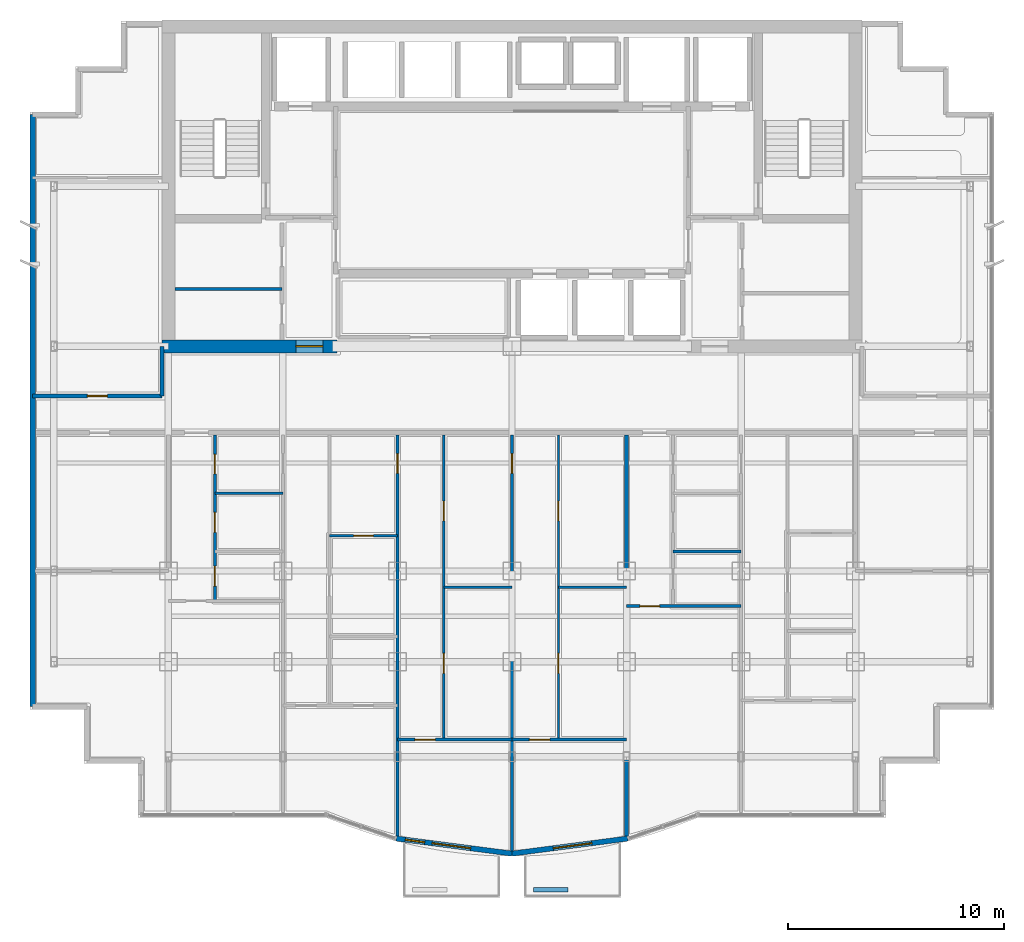
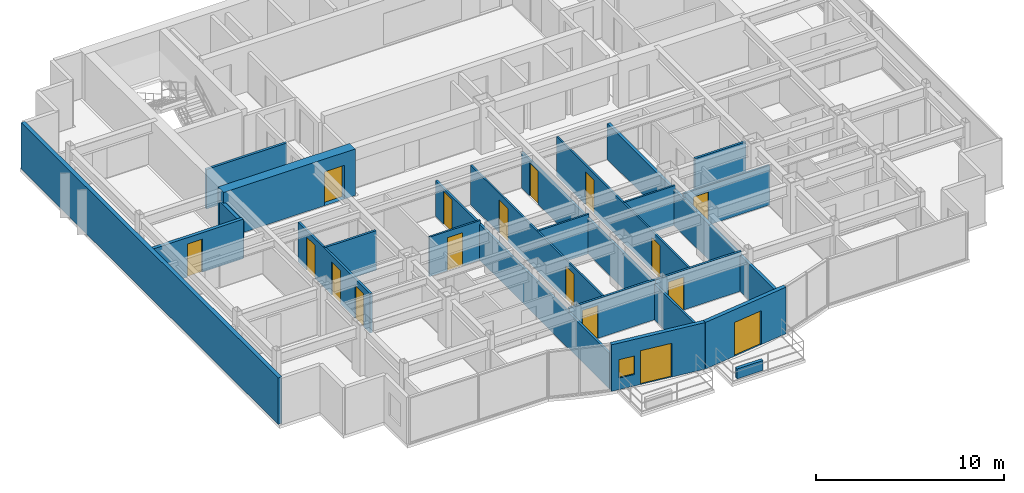
# One storey, part 8 of 13: 22 walls, 17 doors, 1 window, 18 openings.
"""IFC4 building model written with IfcOpenShell, lengths in metres."""

from ifc_helpers import new_model, si_unit, direction, frame, frame_2d, origin, place, context, subcontext, project, spatial, rectangle, extrude, material, layer, layer_set, type_object, element, fill, save


model = new_model("IFC4")

# Units and contexts
model_context = context("Model", 3, precision=1e-05, world=origin(), true_north=direction((0.0, 1.0)))
body_context = subcontext(model_context, "Body", "Model", "MODEL_VIEW")
ifc_project = project(units=[si_unit("LENGTHUNIT", "METRE"), si_unit("AREAUNIT", "SQUARE_METRE"), si_unit("VOLUMEUNIT", "CUBIC_METRE"), si_unit("PLANEANGLEUNIT", "RADIAN"), si_unit("MASSUNIT", "GRAM", prefix="KILO")], contexts=[model_context])

# Site, building, storey
site_placement = place(None, origin())
site = spatial("IfcSite", under=ifc_project, at=site_placement, CompositionType="ELEMENT")
building_placement = place(site_placement, origin())
building = spatial("IfcBuilding", under=site, at=building_placement, Name="Qianlan Lanfeng Residences", CompositionType="ELEMENT")
storey_placement = place(building_placement, frame((0.0, 0.0, 182.10009765625)))
storey = spatial("IfcBuildingStorey", under=building, at=storey_placement, Name="L50", CompositionType="ELEMENT", Elevation=182.10009765625)

# Wall, opening, door
ifc_material_1 = material(Name="Concrete C56", Category="concrete")
ifc_layer_1 = layer(ifc_material_1, 0.60009765625)
ifc_layer_set_1 = layer_set([ifc_layer_1], Name="Concrete C56")
wall_type_1 = type_object("IfcWallType", Name="CW-RC-600", PredefinedType="SHEAR", material=ifc_layer_set_1)
wall_1_placement = place(storey_placement, frame((10.300048828125, 25.199951171875, 0.0), z_axis=(0.0, 0.0, 1.0), x_axis=(1.0, 0.0, 0.0)))
wall_1 = element("IfcWall", 1, at=wall_1_placement, inside=storey, type_object=wall_type_1, Name="L50 Core Shear Wall SW", PredefinedType="SHEAR", context=body_context, shape_type="SweptSolid", body=[
    extrude(rectangle(XDim=8.099853515625, YDim=0.60009765625, at=frame_2d((4.0498046875, 0.0))), origin(), (0.0, 0.0, 1.0), 3.02978515625),
])
opening_1_placement = place(wall_1_placement, frame((6.199951171875, 0.0, 0.0)))
opening_1 = element("IfcOpeningElement", 2, at=opening_1_placement, cuts=wall_1, Name="Opening L50-D01", PredefinedType="OPENING", context=body_context, shape_type="SweptSolid", body=[
    extrude(rectangle(XDim=1.25, YDim=2.199951171875, at=frame_2d((0.625, 1.10009765625))), frame((0.0, 0.31005859375, 0.0), z_axis=(0.0, -1.0, 0.0), x_axis=(1.0, 0.0, 0.0)), (0.0, 0.0, 1.0), 0.6201171875),
])
ifc_material_2 = material(Name="Painted Galvanised Steel Fire Door", Category="steel")
door_type_1 = type_object("IfcDoorType", Name="DT-FFL", OperationType="NOTDEFINED", PredefinedType="DOOR", material=ifc_material_2)
door_1_placement = place(opening_1_placement, origin())
door_1 = element("IfcDoor", 3, at=door_1_placement, inside=storey, type_object=door_type_1, Name="L50 West Core Lobby Smoke Door L50-D01 (DT-FFL)", OperationType="SINGLE_SWING_RIGHT", OverallHeight=2.199951171875, OverallWidth=1.25, PredefinedType="DOOR", context=body_context, shape_type="SweptSolid", body=[
    extrude(rectangle(XDim=1.25, YDim=2.199951171875, at=frame_2d((0.625, 1.10009765625))), frame((0.0, 0.02490234375, 0.0), z_axis=(0.0, -1.0, 0.0), x_axis=(1.0, 0.0, 0.0)), (0.0, 0.0, 1.0), 0.050048828125),
])
fill(opening_1, door_1)

# Wall, openings, door, window
ifc_material_3 = material(Name="Concrete C42", Category="concrete")
ifc_layer_2 = layer(ifc_material_3, 0.239990234375)
ifc_layer_set_2 = layer_set([ifc_layer_2], Name="Concrete C42")
wall_type_2 = type_object("IfcWallType", Name="EW-240", PredefinedType="SOLIDWALL", material=ifc_layer_set_2)
wall_2_placement = place(storey_placement, frame((21.14208984375, 2.4189453125, 0.0), z_axis=(0.0, 0.0, 1.0), x_axis=(0.991597639478, -0.129360432053, 0.0)))
wall_2 = element("IfcWall", 4, at=wall_2_placement, inside=storey, type_object=wall_type_2, Name="L50 Terrace/Balcony Access Exterior Wall 5", PredefinedType="SOLIDWALL", context=body_context, shape_type="SweptSolid", body=[
    extrude(rectangle(XDim=5.4033203125, YDim=0.239990234375, at=frame_2d((2.70166015625, 0.0))), origin(), (0.0, 0.0, 1.0), 3.02978515625),
])
opening_2_placement = place(wall_2_placement, frame((1.672119140625, 0.0, 0.0)))
opening_2 = element("IfcOpeningElement", 5, at=opening_2_placement, cuts=wall_2, Name="Opening L50-D-SB-W", PredefinedType="OPENING", context=body_context, shape_type="SweptSolid", body=[
    extrude(rectangle(XDim=1.800048828125, YDim=2.199951171875, at=frame_2d((0.89990234375, 1.10009765625))), frame((0.0, 0.1298828125, 0.0), z_axis=(0.0, -1.0, 0.0), x_axis=(1.0, 0.0, 0.0)), (0.0, 0.0, 1.0), 0.260009765625),
])
opening_3_placement = place(wall_2_placement, frame((0.426025390625, 0.0, 0.75)))
opening_3 = element("IfcOpeningElement", 6, at=opening_3_placement, cuts=wall_2, Name="Opening W-04", PredefinedType="OPENING", context=body_context, shape_type="SweptSolid", body=[
    extrude(rectangle(XDim=0.89990234375, YDim=1.199951171875, at=frame_2d((0.449951171875, 0.60009765625))), frame((0.0, 0.1298828125, 0.0), z_axis=(0.0, -1.0, 0.0), x_axis=(1.0, 0.0, 0.0)), (0.0, 0.0, 1.0), 0.260009765625),
])
ifc_material_4 = material(Name="Anodised Bronze Aluminium Framed Glass", Category="aluminium")
door_type_2 = type_object("IfcDoorType", Name="DT-BAL1", OperationType="NOTDEFINED", PredefinedType="DOOR", material=ifc_material_4)
door_2_placement = place(opening_2_placement, frame((1.800048828125, 0.0, 0.0), z_axis=(0.0, 0.0, 1.0), x_axis=(-1.0, 0.0, 0.0)))
door_2 = element("IfcDoor", 7, at=door_2_placement, inside=storey, type_object=door_type_2, Name="L50 Exterior Access Door SB-W", OperationType="DOUBLE_DOOR_SLIDING", OverallHeight=2.199951171875, OverallWidth=1.800048828125, PredefinedType="DOOR", context=body_context, shape_type="SweptSolid", body=[
    extrude(rectangle(XDim=1.800048828125, YDim=2.199951171875, at=frame_2d((0.89990234375, 1.10009765625))), frame((0.0, 0.02490234375, 0.0), z_axis=(0.0, -1.0, 0.0), x_axis=(1.0, 0.0, 0.0)), (0.0, 0.0, 1.0), 0.050048828125),
])
fill(opening_2, door_2)
ifc_material_5 = material(Name="Anodised Bronze Aluminium Framed Double Glazing", Category="aluminium")
window_type = type_object("IfcWindowType", Name="W-04", PartitioningType="SINGLE_PANEL", PredefinedType="WINDOW", material=ifc_material_5)
window_placement = place(opening_3_placement, origin())
window = element("IfcWindow", 8, at=window_placement, inside=storey, type_object=window_type, Name="L50 Exterior Window W-03", OverallHeight=1.199951171875, OverallWidth=0.89990234375, PartitioningType="SINGLE_PANEL", PredefinedType="WINDOW", context=body_context, shape_type="SweptSolid", body=[
    extrude(rectangle(XDim=0.89990234375, YDim=1.199951171875, at=frame_2d((0.449951171875, 0.60009765625))), frame((0.0, 0.030029296875, 0.0), z_axis=(0.0, -1.0, 0.0), x_axis=(1.0, 0.0, 0.0)), (0.0, 0.0, 1.0), 0.06005859375),
])
fill(opening_3, window)

# Wall, opening, door
wall_3_placement = place(storey_placement, frame((26.5, 1.719970703125, 0.0), z_axis=(0.0, 0.0, 1.0), x_axis=(0.991594614239, 0.129383619568, 0.0)))
wall_3 = element("IfcWall", 9, at=wall_3_placement, inside=storey, type_object=wall_type_2, Name="L50 Terrace/Balcony Access Exterior Wall 6", PredefinedType="SOLIDWALL", context=body_context, shape_type="SweptSolid", body=[
    extrude(rectangle(XDim=5.40234375, YDim=0.239990234375, at=frame_2d((2.701171875, 0.0))), origin(), (0.0, 0.0, 1.0), 3.02978515625),
])
opening_4_placement = place(wall_3_placement, frame((1.930908203125, 0.0, 0.0)))
opening_4 = element("IfcOpeningElement", 10, at=opening_4_placement, cuts=wall_3, Name="Opening L50-D-SB-E", PredefinedType="OPENING", context=body_context, shape_type="SweptSolid", body=[
    extrude(rectangle(XDim=1.800048828125, YDim=2.199951171875, at=frame_2d((0.89990234375, 1.10009765625))), frame((0.0, 0.1298828125, 0.0), z_axis=(0.0, -1.0, 0.0), x_axis=(1.0, 0.0, 0.0)), (0.0, 0.0, 1.0), 0.260009765625),
])
door_3_placement = place(opening_4_placement, frame((1.800048828125, 0.0, 0.0), z_axis=(0.0, 0.0, 1.0), x_axis=(-1.0, 0.0, 0.0)))
door_3 = element("IfcDoor", 11, at=door_3_placement, inside=storey, type_object=door_type_2, Name="L50 Exterior Access Door SB-E", OperationType="DOUBLE_DOOR_SLIDING", OverallHeight=2.199951171875, OverallWidth=1.800048828125, PredefinedType="DOOR", context=body_context, shape_type="SweptSolid", body=[
    extrude(rectangle(XDim=1.800048828125, YDim=2.199951171875, at=frame_2d((0.89990234375, 1.10009765625))), frame((0.0, 0.02490234375, 0.0), z_axis=(0.0, -1.0, 0.0), x_axis=(1.0, 0.0, 0.0)), (0.0, 0.0, 1.0), 0.050048828125),
])
fill(opening_4, door_3)

# Walls
wall_4_placement = place(storey_placement, frame((4.320068359375, 35.929931640625, 0.0), z_axis=(0.0, 0.0, 1.0), x_axis=(0.0, -1.0, 0.0)))
element("IfcWall", 12, at=wall_4_placement, inside=storey, type_object=wall_type_2, Name="L50 Exterior Facade Spandrel Wall 21", PredefinedType="SOLIDWALL", context=body_context, shape_type="SweptSolid", body=[
    extrude(rectangle(XDim=27.409912109375, YDim=0.239990234375, at=frame_2d((13.705078125, 0.0))), origin(), (0.0, 0.0, 1.0), 3.02978515625),
])
ifc_layer_3 = layer(ifc_material_3, 0.199951171875)
ifc_layer_set_3 = layer_set([ifc_layer_3], Name="Concrete C42")
wall_type_3 = type_object("IfcWallType", Name="PL-TREE-200", PredefinedType="PARAPET", material=ifc_layer_set_3)
wall_5_placement = place(storey_placement, frame((27.5, 0.050048828125, 0.0), z_axis=(0.0, 0.0, 1.0), x_axis=(1.0, 0.0, 0.0)))
element("IfcWall", 13, at=wall_5_placement, inside=storey, type_object=wall_type_3, Name="L50 Balcony Tree Planter Curb SB-E", PredefinedType="PARAPET", context=body_context, shape_type="SweptSolid", body=[
    extrude(rectangle(XDim=1.60009765625, YDim=0.199951171875, at=frame_2d((0.800048828125, 0.0))), origin(), (0.0, 0.0, 1.0), 0.64990234375),
])

# Wall, opening, door
ifc_material_6 = material(Name="Demountable Acoustic Framing Partition 110 mm")
ifc_layer_4 = layer(ifc_material_6, 0.110107421875)
ifc_layer_set_4 = layer_set([ifc_layer_4], Name="Demountable Acoustic Framing Partition 110 mm")
wall_type_4 = type_object("IfcWallType", Name="PW-110", PredefinedType="MOVABLE", material=ifc_layer_set_4)
wall_6_placement = place(storey_placement, frame((18.050048828125, 16.43701171875, 0.0), z_axis=(0.0, 0.0, 1.0), x_axis=(1.0, 0.0, 0.0)))
wall_6 = element("IfcWall", 14, at=wall_6_placement, inside=storey, type_object=wall_type_4, Name="L50 U01 Wardrobe Split", PredefinedType="MOVABLE", context=body_context, shape_type="SweptSolid", body=[
    extrude(rectangle(XDim=3.14990234375, YDim=0.110107421875, at=frame_2d((1.574951171875, 0.0))), origin(), (0.0, 0.0, 1.0), 2.56982421875),
])
opening_5_placement = place(wall_6_placement, frame((1.114990234375, 0.0, 0.0)))
opening_5 = element("IfcOpeningElement", 15, at=opening_5_placement, cuts=wall_6, Name="Opening L50-D27", PredefinedType="OPENING", context=body_context, shape_type="SweptSolid", body=[
    extrude(rectangle(XDim=0.919921875, YDim=2.14990234375, at=frame_2d((0.4599609375, 1.074951171875))), frame((0.0, 0.06494140625, 0.0), z_axis=(0.0, -1.0, 0.0), x_axis=(1.0, 0.0, 0.0)), (0.0, 0.0, 1.0), 0.130126953125),
])
ifc_material_7 = material(Name="Glazed Timber Kitchen/Study Door", Category="wood")
door_type_3 = type_object("IfcDoorType", Name="DT-INT", OperationType="NOTDEFINED", PredefinedType="DOOR", material=ifc_material_7)
door_4_placement = place(opening_5_placement, origin())
door_4 = element("IfcDoor", 16, at=door_4_placement, inside=storey, type_object=door_type_3, Name="L50 U01 Dressing Inner Door L50-D27 (DT-INT)", OperationType="SINGLE_SWING_RIGHT", OverallHeight=2.14990234375, OverallWidth=0.919921875, PredefinedType="DOOR", context=body_context, shape_type="SweptSolid", body=[
    extrude(rectangle(XDim=0.919921875, YDim=2.14990234375, at=frame_2d((0.4599609375, 1.074951171875))), frame((0.0, 0.02490234375, 0.0), z_axis=(0.0, -1.0, 0.0), x_axis=(1.0, 0.0, 0.0)), (0.0, 0.0, 1.0), 0.050048828125),
])
fill(opening_5, door_4)

# Wall, openings, doors
wall_7_placement = place(storey_placement, frame((23.35009765625, 6.9990234375, 0.0), z_axis=(0.0, 0.0, 1.0), x_axis=(0.0, 1.0, 0.0)))
wall_7 = element("IfcWall", 17, at=wall_7_placement, inside=storey, type_object=wall_type_4, Name="L50 U01 Bedroom 2 Hall Wall", PredefinedType="MOVABLE", context=body_context, shape_type="SweptSolid", body=[
    extrude(rectangle(XDim=14.10107421875, YDim=0.110107421875, at=frame_2d((7.050537109375, 0.0))), origin(), (0.0, 0.0, 1.0), 2.56982421875),
])
opening_6_placement = place(wall_7_placement, frame((3.06591796875, 0.0, 0.0)))
opening_6 = element("IfcOpeningElement", 18, at=opening_6_placement, cuts=wall_7, Name="Opening L50-D29", PredefinedType="OPENING", context=body_context, shape_type="SweptSolid", body=[
    extrude(rectangle(XDim=0.919921875, YDim=2.14990234375, at=frame_2d((0.4599609375, 1.074951171875))), frame((0.0, 0.06494140625, 0.0), z_axis=(0.0, -1.0, 0.0), x_axis=(1.0, 0.0, 0.0)), (0.0, 0.0, 1.0), 0.130126953125),
])
opening_7_placement = place(wall_7_placement, frame((10.115966796875, 0.0, 0.0)))
opening_7 = element("IfcOpeningElement", 19, at=opening_7_placement, cuts=wall_7, Name="Opening L50-D30", PredefinedType="OPENING", context=body_context, shape_type="SweptSolid", body=[
    extrude(rectangle(XDim=0.919921875, YDim=2.14990234375, at=frame_2d((0.4599609375, 1.074951171875))), frame((0.0, 0.06494140625, 0.0), z_axis=(0.0, -1.0, 0.0), x_axis=(1.0, 0.0, 0.0)), (0.0, 0.0, 1.0), 0.130126953125),
])
door_5_placement = place(opening_6_placement, origin())
door_5 = element("IfcDoor", 20, at=door_5_placement, inside=storey, type_object=door_type_3, Name="L50 U01 Utility Door L50-D29 (DT-INT)", OperationType="SINGLE_SWING_RIGHT", OverallHeight=2.14990234375, OverallWidth=0.919921875, PredefinedType="DOOR", context=body_context, shape_type="SweptSolid", body=[
    extrude(rectangle(XDim=0.919921875, YDim=2.14990234375, at=frame_2d((0.4599609375, 1.074951171875))), frame((0.0, 0.02490234375, 0.0), z_axis=(0.0, -1.0, 0.0), x_axis=(1.0, 0.0, 0.0)), (0.0, 0.0, 1.0), 0.050048828125),
])
fill(opening_6, door_5)
door_6_placement = place(opening_7_placement, origin())
door_6 = element("IfcDoor", 21, at=door_6_placement, inside=storey, type_object=door_type_3, Name="L50 U01 Specialty Door L50-D30 (DT-INT)", OperationType="SINGLE_SWING_LEFT", OverallHeight=2.14990234375, OverallWidth=0.919921875, PredefinedType="DOOR", context=body_context, shape_type="SweptSolid", body=[
    extrude(rectangle(XDim=0.919921875, YDim=2.14990234375, at=frame_2d((0.4599609375, 1.074951171875))), frame((0.0, 0.02490234375, 0.0), z_axis=(0.0, -1.0, 0.0), x_axis=(1.0, 0.0, 0.0)), (0.0, 0.0, 1.0), 0.050048828125),
])
fill(opening_7, door_6)

# Wall
wall_8_placement = place(storey_placement, frame((23.35009765625, 14.050048828125, 0.0), z_axis=(0.0, 0.0, 1.0), x_axis=(1.0, 0.0, 0.0)))
element("IfcWall", 22, at=wall_8_placement, inside=storey, type_object=wall_type_4, Name="L50 U01 Specialty Split Wall", PredefinedType="MOVABLE", context=body_context, shape_type="SweptSolid", body=[
    extrude(rectangle(XDim=3.14990234375, YDim=0.110107421875, at=frame_2d((1.574951171875, 0.0))), origin(), (0.0, 0.0, 1.0), 2.56982421875),
])

# Wall, openings, doors
wall_9_placement = place(storey_placement, frame((28.64990234375, 6.9990234375, 0.0), z_axis=(0.0, 0.0, 1.0), x_axis=(0.0, 1.0, 0.0)))
wall_9 = element("IfcWall", 23, at=wall_9_placement, inside=storey, type_object=wall_type_4, Name="L50 U01 Bedroom 3 Hall Wall", PredefinedType="MOVABLE", context=body_context, shape_type="SweptSolid", body=[
    extrude(rectangle(XDim=14.10107421875, YDim=0.110107421875, at=frame_2d((7.050537109375, 0.0))), origin(), (0.0, 0.0, 1.0), 2.56982421875),
])
opening_8_placement = place(wall_9_placement, frame((3.06591796875, 0.0, 0.0)))
opening_8 = element("IfcOpeningElement", 24, at=opening_8_placement, cuts=wall_9, Name="Opening L50-D32", PredefinedType="OPENING", context=body_context, shape_type="SweptSolid", body=[
    extrude(rectangle(XDim=0.919921875, YDim=2.14990234375, at=frame_2d((0.4599609375, 1.074951171875))), frame((0.0, 0.06494140625, 0.0), z_axis=(0.0, -1.0, 0.0), x_axis=(1.0, 0.0, 0.0)), (0.0, 0.0, 1.0), 0.130126953125),
])
opening_9_placement = place(wall_9_placement, frame((10.115966796875, 0.0, 0.0)))
opening_9 = element("IfcOpeningElement", 25, at=opening_9_placement, cuts=wall_9, Name="Opening L50-D33", PredefinedType="OPENING", context=body_context, shape_type="SweptSolid", body=[
    extrude(rectangle(XDim=0.919921875, YDim=2.14990234375, at=frame_2d((0.4599609375, 1.074951171875))), frame((0.0, 0.06494140625, 0.0), z_axis=(0.0, -1.0, 0.0), x_axis=(1.0, 0.0, 0.0)), (0.0, 0.0, 1.0), 0.130126953125),
])
door_7_placement = place(opening_8_placement, origin())
door_7 = element("IfcDoor", 26, at=door_7_placement, inside=storey, type_object=door_type_3, Name="L50 U01 Utility Door L50-D32 (DT-INT)", OperationType="SINGLE_SWING_LEFT", OverallHeight=2.14990234375, OverallWidth=0.919921875, PredefinedType="DOOR", context=body_context, shape_type="SweptSolid", body=[
    extrude(rectangle(XDim=0.919921875, YDim=2.14990234375, at=frame_2d((0.4599609375, 1.074951171875))), frame((0.0, 0.02490234375, 0.0), z_axis=(0.0, -1.0, 0.0), x_axis=(1.0, 0.0, 0.0)), (0.0, 0.0, 1.0), 0.050048828125),
])
fill(opening_8, door_7)
door_8_placement = place(opening_9_placement, origin())
door_8 = element("IfcDoor", 27, at=door_8_placement, inside=storey, type_object=door_type_3, Name="L50 U01 Specialty Door L50-D33 (DT-INT)", OperationType="SINGLE_SWING_RIGHT", OverallHeight=2.14990234375, OverallWidth=0.919921875, PredefinedType="DOOR", context=body_context, shape_type="SweptSolid", body=[
    extrude(rectangle(XDim=0.919921875, YDim=2.14990234375, at=frame_2d((0.4599609375, 1.074951171875))), frame((0.0, 0.02490234375, 0.0), z_axis=(0.0, -1.0, 0.0), x_axis=(1.0, 0.0, 0.0)), (0.0, 0.0, 1.0), 0.050048828125),
])
fill(opening_9, door_8)

# Wall
wall_10_placement = place(storey_placement, frame((28.64990234375, 14.050048828125, 0.0), z_axis=(0.0, 0.0, 1.0), x_axis=(1.0, 0.0, 0.0)))
element("IfcWall", 28, at=wall_10_placement, inside=storey, type_object=wall_type_4, Name="L50 U01 Specialty Split Wall", PredefinedType="MOVABLE", context=body_context, shape_type="SweptSolid", body=[
    extrude(rectangle(XDim=3.150146484375, YDim=0.110107421875, at=frame_2d((1.5751953125, 0.0))), origin(), (0.0, 0.0, 1.0), 2.56982421875),
])

# Wall, opening, door
ifc_material_8 = material(Name="Moisture-Resistant Gypsum Partition 135 mm")
ifc_layer_5 = layer(ifc_material_8, 0.135009765625)
ifc_layer_set_5 = layer_set([ifc_layer_5], Name="Moisture-Resistant Gypsum Partition 135 mm")
wall_type_5 = type_object("IfcWallType", Name="PW-135", PredefinedType="PARTITIONING", material=ifc_layer_set_5)
wall_11_placement = place(storey_placement, frame((21.199951171875, 2.508056640625, 0.0), z_axis=(0.0, 0.0, 1.0), x_axis=(0.0, 1.0, 0.0)))
wall_11 = element("IfcWall", 29, at=wall_11_placement, inside=storey, type_object=wall_type_5, Name="L50 U01 Bay Spine Wall 2", PredefinedType="PARTITIONING", context=body_context, shape_type="SweptSolid", body=[
    extrude(rectangle(XDim=18.592041015625, YDim=0.135009765625, at=frame_2d((9.2958984375, 0.0))), origin(), (0.0, 0.0, 1.0), 2.324951171875),
])
opening_10_placement = place(wall_11_placement, frame((16.806884765625, 0.0, 0.0)))
opening_10 = element("IfcOpeningElement", 30, at=opening_10_placement, cuts=wall_11, Name="Opening L50-D18", PredefinedType="OPENING", context=body_context, shape_type="SweptSolid", body=[
    extrude(rectangle(XDim=0.919921875, YDim=2.14990234375, at=frame_2d((0.4599609375, 1.074951171875))), frame((0.0, 0.07763671875, 0.0), z_axis=(0.0, -1.0, 0.0), x_axis=(1.0, 0.0, 0.0)), (0.0, 0.0, 1.0), 0.155029296875),
])
door_9_placement = place(opening_10_placement, origin())
door_9 = element("IfcDoor", 31, at=door_9_placement, inside=storey, type_object=door_type_3, Name="L50 U01 Internal Hall Door L50-D18 (DT-INT)", OperationType="SINGLE_SWING_LEFT", OverallHeight=2.14990234375, OverallWidth=0.919921875, PredefinedType="DOOR", context=body_context, shape_type="SweptSolid", body=[
    extrude(rectangle(XDim=0.919921875, YDim=2.14990234375, at=frame_2d((0.4599609375, 1.074951171875))), frame((0.0, 0.02490234375, 0.0), z_axis=(0.0, -1.0, 0.0), x_axis=(1.0, 0.0, 0.0)), (0.0, 0.0, 1.0), 0.050048828125),
])
fill(opening_10, door_9)

wall_12_placement = place(storey_placement, frame((26.5, 1.820068359375, 0.0), z_axis=(0.0, 0.0, 1.0), x_axis=(0.0, 1.0, 0.0)))
wall_12 = element("IfcWall", 32, at=wall_12_placement, inside=storey, type_object=wall_type_5, Name="L50 U01 Bay Spine Wall 3", PredefinedType="PARTITIONING", context=body_context, shape_type="SweptSolid", body=[
    extrude(rectangle(XDim=19.280029296875, YDim=0.135009765625, at=frame_2d((9.64013671875, 0.0))), origin(), (0.0, 0.0, 1.0), 2.324951171875),
])
opening_11_placement = place(wall_12_placement, frame((17.4951171875, 0.0, 0.0)))
opening_11 = element("IfcOpeningElement", 33, at=opening_11_placement, cuts=wall_12, Name="Opening L50-D19", PredefinedType="OPENING", context=body_context, shape_type="SweptSolid", body=[
    extrude(rectangle(XDim=0.919921875, YDim=2.14990234375, at=frame_2d((0.4599609375, 1.074951171875))), frame((0.0, 0.07763671875, 0.0), z_axis=(0.0, -1.0, 0.0), x_axis=(1.0, 0.0, 0.0)), (0.0, 0.0, 1.0), 0.155029296875),
])
door_10_placement = place(opening_11_placement, origin())
door_10 = element("IfcDoor", 34, at=door_10_placement, inside=storey, type_object=door_type_3, Name="L50 U01 Internal Hall Door L50-D19 (DT-INT)", OperationType="SINGLE_SWING_RIGHT", OverallHeight=2.14990234375, OverallWidth=0.919921875, PredefinedType="DOOR", context=body_context, shape_type="SweptSolid", body=[
    extrude(rectangle(XDim=0.919921875, YDim=2.14990234375, at=frame_2d((0.4599609375, 1.074951171875))), frame((0.0, 0.02490234375, 0.0), z_axis=(0.0, -1.0, 0.0), x_axis=(1.0, 0.0, 0.0)), (0.0, 0.0, 1.0), 0.050048828125),
])
fill(opening_11, door_10)

# Wall, openings, doors
wall_13_placement = place(storey_placement, frame((12.75, 13.419921875, 0.0), z_axis=(0.0, 0.0, 1.0), x_axis=(0.0, 1.0, 0.0)))
wall_13 = element("IfcWall", 35, at=wall_13_placement, inside=storey, type_object=wall_type_5, Name="L50 U01 Entry Hall Spine", PredefinedType="PARTITIONING", context=body_context, shape_type="SweptSolid", body=[
    extrude(rectangle(XDim=7.68017578125, YDim=0.135009765625, at=frame_2d((3.840087890625, 0.0))), origin(), (0.0, 0.0, 1.0), 2.56982421875),
])
opening_12_placement = place(wall_13_placement, frame((0.679931640625, 0.0, 0.0)))
opening_12 = element("IfcOpeningElement", 36, at=opening_12_placement, cuts=wall_13, Name="Opening L50-D21", PredefinedType="OPENING", context=body_context, shape_type="SweptSolid", body=[
    extrude(rectangle(XDim=0.919921875, YDim=2.14990234375, at=frame_2d((0.4599609375, 1.074951171875))), frame((0.0, 0.07763671875, 0.0), z_axis=(0.0, -1.0, 0.0), x_axis=(1.0, 0.0, 0.0)), (0.0, 0.0, 1.0), 0.155029296875),
])
opening_13_placement = place(wall_13_placement, frame((3.169921875, 0.0, 0.0)))
opening_13 = element("IfcOpeningElement", 37, at=opening_13_placement, cuts=wall_13, Name="Opening L50-D22", PredefinedType="OPENING", context=body_context, shape_type="SweptSolid", body=[
    extrude(rectangle(XDim=0.919921875, YDim=2.14990234375, at=frame_2d((0.4599609375, 1.074951171875))), frame((0.0, 0.07763671875, 0.0), z_axis=(0.0, -1.0, 0.0), x_axis=(1.0, 0.0, 0.0)), (0.0, 0.0, 1.0), 0.155029296875),
])
opening_14_placement = place(wall_13_placement, frame((5.8798828125, 0.0, 0.0)))
opening_14 = element("IfcOpeningElement", 38, at=opening_14_placement, cuts=wall_13, Name="Opening L50-D23", PredefinedType="OPENING", context=body_context, shape_type="SweptSolid", body=[
    extrude(rectangle(XDim=0.89990234375, YDim=2.14990234375, at=frame_2d((0.449951171875, 1.074951171875))), frame((0.0, 0.07763671875, 0.0), z_axis=(0.0, -1.0, 0.0), x_axis=(1.0, 0.0, 0.0)), (0.0, 0.0, 1.0), 0.155029296875),
])
door_11_placement = place(opening_12_placement, origin())
door_11 = element("IfcDoor", 39, at=door_11_placement, inside=storey, type_object=door_type_3, Name="L50 U01 Study Door L50-D21 (DT-INT)", OperationType="SINGLE_SWING_RIGHT", OverallHeight=2.14990234375, OverallWidth=0.919921875, PredefinedType="DOOR", context=body_context, shape_type="SweptSolid", body=[
    extrude(rectangle(XDim=0.919921875, YDim=2.14990234375, at=frame_2d((0.4599609375, 1.074951171875))), frame((0.0, 0.02490234375, 0.0), z_axis=(0.0, -1.0, 0.0), x_axis=(1.0, 0.0, 0.0)), (0.0, 0.0, 1.0), 0.050048828125),
])
fill(opening_12, door_11)
door_12_placement = place(opening_13_placement, origin())
door_12 = element("IfcDoor", 40, at=door_12_placement, inside=storey, type_object=door_type_3, Name="L50 U01 Kitchen Door L50-D22 (DT-INT)", OperationType="SINGLE_SWING_LEFT", OverallHeight=2.14990234375, OverallWidth=0.919921875, PredefinedType="DOOR", context=body_context, shape_type="SweptSolid", body=[
    extrude(rectangle(XDim=0.919921875, YDim=2.14990234375, at=frame_2d((0.4599609375, 1.074951171875))), frame((0.0, 0.02490234375, 0.0), z_axis=(0.0, -1.0, 0.0), x_axis=(1.0, 0.0, 0.0)), (0.0, 0.0, 1.0), 0.050048828125),
])
fill(opening_13, door_12)
ifc_material_9 = material(Name="Moisture-Resistant Timber Leaf", Category="wood")
door_type_4 = type_object("IfcDoorType", Name="DT-WC", OperationType="NOTDEFINED", PredefinedType="DOOR", material=ifc_material_9)
door_13_placement = place(opening_14_placement, origin())
door_13 = element("IfcDoor", 41, at=door_13_placement, inside=storey, type_object=door_type_4, Name="L50 U01 Bathroom Door L50-D23 (DT-WC)", OperationType="SINGLE_SWING_RIGHT", OverallHeight=2.14990234375, OverallWidth=0.89990234375, PredefinedType="DOOR", context=body_context, shape_type="SweptSolid", body=[
    extrude(rectangle(XDim=0.89990234375, YDim=2.14990234375, at=frame_2d((0.449951171875, 1.074951171875))), frame((0.0, 0.02490234375, 0.0), z_axis=(0.0, -1.0, 0.0), x_axis=(1.0, 0.0, 0.0)), (0.0, 0.0, 1.0), 0.050048828125),
])
fill(opening_14, door_13)

# Wall
wall_14_placement = place(storey_placement, frame((12.75, 18.39990234375, 0.0), z_axis=(0.0, 0.0, 1.0), x_axis=(1.0, 0.0, 0.0)))
element("IfcWall", 42, at=wall_14_placement, inside=storey, type_object=wall_type_5, Name="L50 U01 Bathroom South Wall", PredefinedType="PARTITIONING", context=body_context, shape_type="SweptSolid", body=[
    extrude(rectangle(XDim=3.14990234375, YDim=0.135009765625, at=frame_2d((1.574951171875, 0.0))), origin(), (0.0, 0.0, 1.0), 2.56982421875),
])

# Wall, opening, door
wall_15_placement = place(storey_placement, frame((21.199951171875, 6.9990234375, 0.0), z_axis=(0.0, 0.0, 1.0), x_axis=(1.0, 0.0, 0.0)))
wall_15 = element("IfcWall", 43, at=wall_15_placement, inside=storey, type_object=wall_type_5, Name="L50 U01 Bedroom 2 North Wall", PredefinedType="PARTITIONING", context=body_context, shape_type="SweptSolid", body=[
    extrude(rectangle(XDim=5.300048828125, YDim=0.135009765625, at=frame_2d((2.64990234375, 0.0))), origin(), (0.0, 0.0, 1.0), 2.56982421875),
])
opening_15_placement = place(wall_15_placement, frame((0.800048828125, 0.0, 0.0)))
opening_15 = element("IfcOpeningElement", 44, at=opening_15_placement, cuts=wall_15, Name="Opening L50-D28", PredefinedType="OPENING", context=body_context, shape_type="SweptSolid", body=[
    extrude(rectangle(XDim=0.949951171875, YDim=2.14990234375, at=frame_2d((0.47509765625, 1.074951171875))), frame((0.0, 0.07763671875, 0.0), z_axis=(0.0, -1.0, 0.0), x_axis=(1.0, 0.0, 0.0)), (0.0, 0.0, 1.0), 0.155029296875),
])
ifc_material_10 = material(Name="Painted Solid-Core Timber Leaf", Category="wood")
door_type_5 = type_object("IfcDoorType", Name="DT-BED", OperationType="NOTDEFINED", PredefinedType="DOOR", material=ifc_material_10)
door_14_placement = place(opening_15_placement, origin())
door_14 = element("IfcDoor", 45, at=door_14_placement, inside=storey, type_object=door_type_5, Name="L50 U01 Bedroom 2 Door L50-D28 (DT-BED)", OperationType="SINGLE_SWING_LEFT", OverallHeight=2.14990234375, OverallWidth=0.949951171875, PredefinedType="DOOR", context=body_context, shape_type="SweptSolid", body=[
    extrude(rectangle(XDim=0.949951171875, YDim=2.14990234375, at=frame_2d((0.47509765625, 1.074951171875))), frame((0.0, 0.02490234375, 0.0), z_axis=(0.0, -1.0, 0.0), x_axis=(1.0, 0.0, 0.0)), (0.0, 0.0, 1.0), 0.050048828125),
])
fill(opening_15, door_14)

wall_16_placement = place(storey_placement, frame((26.5, 6.9990234375, 0.0), z_axis=(0.0, 0.0, 1.0), x_axis=(1.0, 0.0, 0.0)))
wall_16 = element("IfcWall", 46, at=wall_16_placement, inside=storey, type_object=wall_type_5, Name="L50 U01 Bedroom 3 North Wall", PredefinedType="PARTITIONING", context=body_context, shape_type="SweptSolid", body=[
    extrude(rectangle(XDim=5.300048828125, YDim=0.135009765625, at=frame_2d((2.64990234375, 0.0))), origin(), (0.0, 0.0, 1.0), 2.56982421875),
])
opening_16_placement = place(wall_16_placement, frame((0.800048828125, 0.0, 0.0)))
opening_16 = element("IfcOpeningElement", 47, at=opening_16_placement, cuts=wall_16, Name="Opening L50-D31", PredefinedType="OPENING", context=body_context, shape_type="SweptSolid", body=[
    extrude(rectangle(XDim=0.949951171875, YDim=2.14990234375, at=frame_2d((0.47509765625, 1.074951171875))), frame((0.0, 0.07763671875, 0.0), z_axis=(0.0, -1.0, 0.0), x_axis=(1.0, 0.0, 0.0)), (0.0, 0.0, 1.0), 0.155029296875),
])
door_15_placement = place(opening_16_placement, origin())
door_15 = element("IfcDoor", 48, at=door_15_placement, inside=storey, type_object=door_type_5, Name="L50 U01 Bedroom 3 Door L50-D31 (DT-BED)", OperationType="SINGLE_SWING_LEFT", OverallHeight=2.14990234375, OverallWidth=0.949951171875, PredefinedType="DOOR", context=body_context, shape_type="SweptSolid", body=[
    extrude(rectangle(XDim=0.949951171875, YDim=2.14990234375, at=frame_2d((0.47509765625, 1.074951171875))), frame((0.0, 0.02490234375, 0.0), z_axis=(0.0, -1.0, 0.0), x_axis=(1.0, 0.0, 0.0)), (0.0, 0.0, 1.0), 0.050048828125),
])
fill(opening_16, door_15)

wall_17_placement = place(storey_placement, frame((31.800048828125, 13.174072265625, 0.0), z_axis=(0.0, 0.0, 1.0), x_axis=(1.0, 0.0, 0.0)))
wall_17 = element("IfcWall", 49, at=wall_17_placement, inside=storey, type_object=wall_type_5, Name="L50 U02 Living Divider", PredefinedType="PARTITIONING", context=body_context, shape_type="SweptSolid", body=[
    extrude(rectangle(XDim=5.300048828125, YDim=0.135009765625, at=frame_2d((2.64990234375, 0.0))), origin(), (0.0, 0.0, 1.0), 2.56982421875),
])
opening_17_placement = place(wall_17_placement, frame((0.614990234375, 0.0, 0.0)))
opening_17 = element("IfcOpeningElement", 50, at=opening_17_placement, cuts=wall_17, Name="Opening L50-D36", PredefinedType="OPENING", context=body_context, shape_type="SweptSolid", body=[
    extrude(rectangle(XDim=0.919921875, YDim=2.14990234375, at=frame_2d((0.4599609375, 1.074951171875))), frame((0.0, 0.07763671875, 0.0), z_axis=(0.0, -1.0, 0.0), x_axis=(1.0, 0.0, 0.0)), (0.0, 0.0, 1.0), 0.155029296875),
])
door_16_placement = place(opening_17_placement, frame((0.919921875, 0.0, 0.0), z_axis=(0.0, 0.0, 1.0), x_axis=(-1.0, 0.0, 0.0)))
door_16 = element("IfcDoor", 51, at=door_16_placement, inside=storey, type_object=door_type_3, Name="L50 U02 Living Passage Door L50-D36 (DT-INT)", OperationType="SINGLE_SWING_RIGHT", OverallHeight=2.14990234375, OverallWidth=0.919921875, PredefinedType="DOOR", context=body_context, shape_type="SweptSolid", body=[
    extrude(rectangle(XDim=0.919921875, YDim=2.14990234375, at=frame_2d((0.4599609375, 1.074951171875))), frame((0.0, 0.02490234375, 0.0), z_axis=(0.0, -1.0, 0.0), x_axis=(1.0, 0.0, 0.0)), (0.0, 0.0, 1.0), 0.050048828125),
])
fill(opening_17, door_16)

# Walls
wall_18_placement = place(storey_placement, frame((33.949951171875, 15.699951171875, 0.0), z_axis=(0.0, 0.0, 1.0), x_axis=(1.0, 0.0, 0.0)))
element("IfcWall", 52, at=wall_18_placement, inside=storey, type_object=wall_type_5, Name="L50 U02 Kitchen South Wall", PredefinedType="PARTITIONING", context=body_context, shape_type="SweptSolid", body=[
    extrude(rectangle(XDim=3.150146484375, YDim=0.135009765625, at=frame_2d((1.5751953125, 0.0))), origin(), (0.0, 0.0, 1.0), 2.56982421875),
])
ifc_material_11 = material(Name="Acoustic Drywall Partition 150 mm")
ifc_layer_6 = layer(ifc_material_11, 0.14990234375)
ifc_layer_set_6 = layer_set([ifc_layer_6], Name="Acoustic Drywall Partition 150 mm")
wall_type_6 = type_object("IfcWallType", Name="PW-150", PredefinedType="PARTITIONING", material=ifc_layer_set_6)
wall_19_placement = place(storey_placement, frame((10.89990234375, 27.85009765625, 0.0), z_axis=(0.0, 0.0, 1.0), x_axis=(1.0, 0.0, 0.0)))
element("IfcWall", 53, at=wall_19_placement, inside=storey, type_object=wall_type_6, Name="L50 Core West Split", PredefinedType="PARTITIONING", context=body_context, shape_type="SweptSolid", body=[
    extrude(rectangle(XDim=4.9501953125, YDim=0.14990234375, at=frame_2d((2.47509765625, 0.0))), origin(), (0.0, 0.0, 1.0), 2.56982421875),
])
ifc_material_12 = material(Name="Double-Layer Acoustic Gypsum Stud Wall 180 mm")
ifc_layer_7 = layer(ifc_material_12, 0.179931640625)
ifc_layer_set_7 = layer_set([ifc_layer_7], Name="Double-Layer Acoustic Gypsum Stud Wall 180 mm")
wall_type_7 = type_object("IfcWallType", Name="PW-180", PredefinedType="PARTITIONING", material=ifc_layer_set_7)
wall_20_placement = place(storey_placement, frame((31.800048828125, 2.509033203125, 0.0), z_axis=(0.0, 0.0, 1.0), x_axis=(0.0, 1.0, 0.0)))
element("IfcWall", 54, at=wall_20_placement, inside=storey, type_object=wall_type_7, Name="L50 Inter-Tenancy Party Wall 2", PredefinedType="PARTITIONING", context=body_context, shape_type="SweptSolid", body=[
    extrude(rectangle(XDim=18.591064453125, YDim=0.179931640625, at=frame_2d((9.29541015625, 0.0))), origin(), (0.0, 0.0, 1.0), 2.324951171875),
])

# Wall, opening, door
ifc_material_13 = material(Name="Autoclaved Aerated Concrete Blockwork 200 mm", Category="masonry")
ifc_layer_8 = layer(ifc_material_13, 0.199951171875)
ifc_layer_set_8 = layer_set([ifc_layer_8], Name="Autoclaved Aerated Concrete Blockwork 200 mm")
wall_type_8 = type_object("IfcWallType", Name="PW-200", PredefinedType="PARTITIONING", material=ifc_layer_set_8)
wall_21_placement = place(storey_placement, frame((4.320068359375, 22.89990234375, 0.0), z_axis=(0.0, 0.0, 1.0), x_axis=(1.0, 0.0, 0.0)))
wall_21 = element("IfcWall", 55, at=wall_21_placement, inside=storey, type_object=wall_type_8, Name="L50 Corridor NW Wall", PredefinedType="PARTITIONING", context=body_context, shape_type="SweptSolid", body=[
    extrude(rectangle(XDim=5.97998046875, YDim=0.199951171875, at=frame_2d((2.989990234375, 0.0))), origin(), (0.0, 0.0, 1.0), 2.56982421875),
])
opening_18_placement = place(wall_21_placement, frame((2.530029296875, 0.0, 0.0)))
opening_18 = element("IfcOpeningElement", 56, at=opening_18_placement, cuts=wall_21, Name="Opening L50-D49", PredefinedType="OPENING", context=body_context, shape_type="SweptSolid", body=[
    extrude(rectangle(XDim=0.919921875, YDim=2.14990234375, at=frame_2d((0.4599609375, 1.074951171875))), frame((0.0, 0.10986328125, 0.0), z_axis=(0.0, -1.0, 0.0), x_axis=(1.0, 0.0, 0.0)), (0.0, 0.0, 1.0), 0.219970703125),
])
door_17_placement = place(opening_18_placement, origin())
door_17 = element("IfcDoor", 57, at=door_17_placement, inside=storey, type_object=door_type_3, Name="L50 WW Amenity Salon Door L50-D49 (DT-INT)", OperationType="SINGLE_SWING_RIGHT", OverallHeight=2.14990234375, OverallWidth=0.919921875, PredefinedType="DOOR", context=body_context, shape_type="SweptSolid", body=[
    extrude(rectangle(XDim=0.919921875, YDim=2.14990234375, at=frame_2d((0.4599609375, 1.074951171875))), frame((0.0, 0.02490234375, 0.0), z_axis=(0.0, -1.0, 0.0), x_axis=(1.0, 0.0, 0.0)), (0.0, 0.0, 1.0), 0.050048828125),
])
fill(opening_18, door_17)

# Wall
wall_22_placement = place(storey_placement, frame((10.300048828125, 22.89990234375, 0.0), z_axis=(0.0, 0.0, 1.0), x_axis=(0.0, 1.0, 0.0)))
element("IfcWall", 58, at=wall_22_placement, inside=storey, type_object=wall_type_8, Name="L50 NW Wing Core Return Wall", PredefinedType="PARTITIONING", context=body_context, shape_type="SweptSolid", body=[
    extrude(rectangle(XDim=2.300048828125, YDim=0.199951171875, at=frame_2d((1.14990234375, 0.0))), origin(), (0.0, 0.0, 1.0), 2.324951171875),
])

save(model, "model.ifc")
